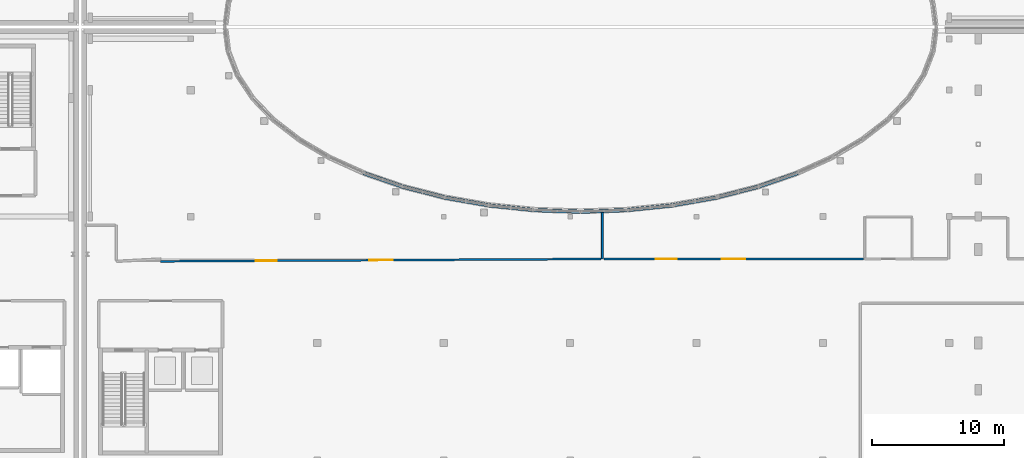
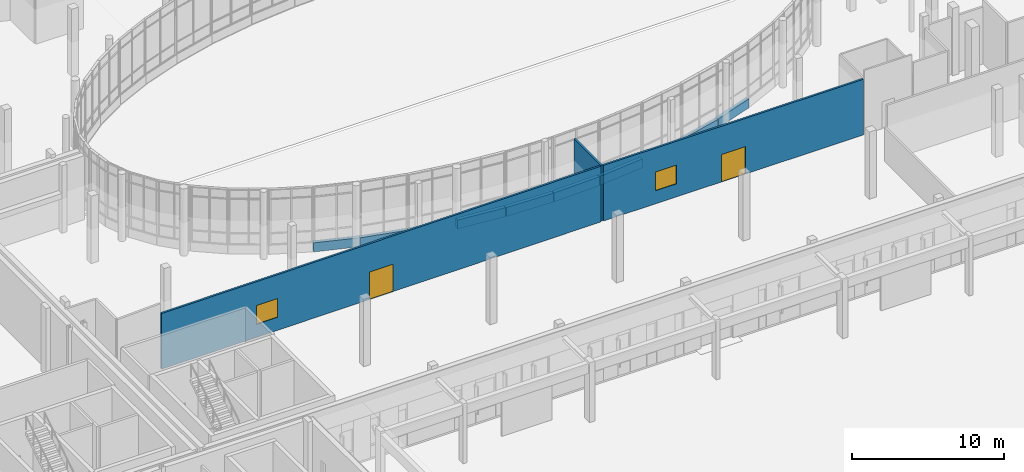
# One storey, part 43 of 84: 13 walls, 2 doors, 2 windows, 4 openings.
"""IFC4 building model written with IfcOpenShell, lengths in metres."""

from ifc_helpers import new_model, si_unit, direction, frame, frame_2d, origin, place, context, subcontext, project, spatial, rectangle, extrude, material, layer, layer_set, type_object, element, fill, save


model = new_model("IFC4")

# Units and contexts
model_context = context("Model", 3, precision=1e-05, world=origin(), true_north=direction((0.0, 1.0)))
body_context = subcontext(model_context, "Body", "Model", "MODEL_VIEW")
ifc_project = project(units=[si_unit("LENGTHUNIT", "METRE"), si_unit("AREAUNIT", "SQUARE_METRE"), si_unit("VOLUMEUNIT", "CUBIC_METRE"), si_unit("PLANEANGLEUNIT", "RADIAN"), si_unit("MASSUNIT", "GRAM", prefix="KILO")], contexts=[model_context])

# Site, building, storey
site_placement = place(None, origin())
site = spatial("IfcSite", under=ifc_project, at=site_placement, CompositionType="ELEMENT")
building_placement = place(site_placement, origin())
building = spatial("IfcBuilding", under=site, at=building_placement, Name="Mzevani Central Library", CompositionType="ELEMENT")
storey_placement = place(building_placement, origin())
storey = spatial("IfcBuildingStorey", under=building, at=storey_placement, Name="L00", CompositionType="ELEMENT", Elevation=0.0)

# Walls
ifc_material_1 = material(Name="Precast concrete C40/50", Category="concrete")
ifc_layer_1 = layer(ifc_material_1, 0.280029296875, Name="Court Spandrel Wall 280")
ifc_layer_set_1 = layer_set([ifc_layer_1], Name="Precast concrete C40/50")
wall_type_1 = type_object("IfcWallType", Name="Court Spandrel Wall 280", PredefinedType="STANDARD", material=ifc_layer_set_1)
wall_1_placement = place(storey_placement, frame((67.510986328125, 64.90771484375, 0.0), z_axis=(0.0, 0.0, 1.0), x_axis=(0.945492423857, -0.325644094723, 0.0)))
element("IfcWall", 1, at=wall_1_placement, inside=storey, type_object=wall_type_1, Name="L00 Elliptical Court Spandrel 32", PredefinedType="STANDARD", context=body_context, shape_type="SweptSolid", body=[
    extrude(rectangle(XDim=3.082763671875, YDim=0.280029296875, at=frame_2d((1.54150390625, 0.0))), origin(), (0.0, 0.0, 1.0), 0.719970703125),
])
wall_2_placement = place(storey_placement, frame((70.447998046875, 63.879150390625, 0.0), z_axis=(0.0, 0.0, 1.0), x_axis=(0.969187718636, -0.246323295783, 0.0)))
element("IfcWall", 2, at=wall_2_placement, inside=storey, type_object=wall_type_1, Name="L00 Elliptical Court Spandrel 33", PredefinedType="STANDARD", context=body_context, shape_type="SweptSolid", body=[
    extrude(rectangle(XDim=3.243896484375, YDim=0.280029296875, at=frame_2d((1.6220703125, 0.0))), origin(), (0.0, 0.0, 1.0), 0.719970703125),
])
wall_3_placement = place(storey_placement, frame((73.623046875, 63.055419921875, 0.0), z_axis=(0.0, 0.0, 1.0), x_axis=(0.985036309647, -0.172346942756, 0.0)))
element("IfcWall", 3, at=wall_3_placement, inside=storey, type_object=wall_type_1, Name="L00 Elliptical Court Spandrel 34", PredefinedType="STANDARD", context=body_context, shape_type="SweptSolid", body=[
    extrude(rectangle(XDim=3.3701171875, YDim=0.280029296875, at=frame_2d((1.68505859375, 0.0))), origin(), (0.0, 0.0, 1.0), 0.719970703125),
])
wall_4_placement = place(storey_placement, frame((76.984375, 62.453125, 0.0), z_axis=(0.0, 0.0, 1.0), x_axis=(0.994784379501, -0.102000187744, 0.0)))
element("IfcWall", 4, at=wall_4_placement, inside=storey, type_object=wall_type_1, Name="L00 Elliptical Court Spandrel 35", PredefinedType="STANDARD", context=body_context, shape_type="SweptSolid", body=[
    extrude(rectangle(XDim=3.456298828125, YDim=0.280029296875, at=frame_2d((1.72802734375, 0.0))), origin(), (0.0, 0.0, 1.0), 0.719970703125),
])
for number, where, z_axis, x_axis, name in (
    (5, (80.47412109375, 62.087646484375, 0.0), (0.0, 0.0, 1.0), (0.999429943241, -0.033760754643, 0.0), "L00 Elliptical Court Spandrel 36"),
    (6, (84.02783203125, 61.969482421875, 0.0), (0.0, 0.0, 1.0), (0.999429943241, 0.033760754643, 0.0), "L00 Elliptical Court Spandrel 37"),
):
    element("IfcWall", number, at=place(storey_placement, frame(where, z_axis=z_axis, x_axis=x_axis)), inside=storey, type_object=wall_type_1, Name=name, PredefinedType="STANDARD", context=body_context, shape_type="SweptSolid", body=[
        extrude(rectangle(XDim=3.5, YDim=0.280029296875, at=frame_2d((1.75, 0.0))), origin(), (0.0, 0.0, 1.0), 0.719970703125),
    ])
wall_5_placement = place(storey_placement, frame((87.577392578125, 62.1005859375, 0.0), z_axis=(0.0, 0.0, 1.0), x_axis=(0.994784379501, 0.102000187744, 0.0)))
element("IfcWall", 7, at=wall_5_placement, inside=storey, type_object=wall_type_1, Name="L00 Elliptical Court Spandrel 38", PredefinedType="STANDARD", context=body_context, shape_type="SweptSolid", body=[
    extrude(rectangle(XDim=3.456298828125, YDim=0.280029296875, at=frame_2d((1.72802734375, 0.0))), origin(), (0.0, 0.0, 1.0), 0.719970703125),
])
wall_6_placement = place(storey_placement, frame((91.057373046875, 62.474609375, 0.0), z_axis=(0.0, 0.0, 1.0), x_axis=(0.985036309647, 0.172346942756, 0.0)))
element("IfcWall", 8, at=wall_6_placement, inside=storey, type_object=wall_type_1, Name="L00 Elliptical Court Spandrel 39", PredefinedType="STANDARD", context=body_context, shape_type="SweptSolid", body=[
    extrude(rectangle(XDim=3.3701171875, YDim=0.280029296875, at=frame_2d((1.68505859375, 0.0))), origin(), (0.0, 0.0, 1.0), 0.719970703125),
])
wall_7_placement = place(storey_placement, frame((94.407958984375, 63.080078125, 0.0), z_axis=(0.0, 0.0, 1.0), x_axis=(0.969187718636, 0.246323295783, 0.0)))
element("IfcWall", 9, at=wall_7_placement, inside=storey, type_object=wall_type_1, Name="L00 Elliptical Court Spandrel 40", PredefinedType="STANDARD", context=body_context, shape_type="SweptSolid", body=[
    extrude(rectangle(XDim=3.243896484375, YDim=0.280029296875, at=frame_2d((1.6220703125, 0.0))), origin(), (0.0, 0.0, 1.0), 0.719970703125),
])
wall_8_placement = place(storey_placement, frame((97.57421875, 63.90380859375, 0.0), z_axis=(0.0, 0.0, 1.0), x_axis=(0.945492423857, 0.325644094723, 0.0)))
element("IfcWall", 10, at=wall_8_placement, inside=storey, type_object=wall_type_1, Name="L00 Elliptical Court Spandrel 41", PredefinedType="STANDARD", context=body_context, shape_type="SweptSolid", body=[
    extrude(rectangle(XDim=3.082763671875, YDim=0.280029296875, at=frame_2d((1.54150390625, 0.0))), origin(), (0.0, 0.0, 1.0), 0.719970703125),
])
ifc_material_2 = material(Name="Fire-rated gypsum board", Category="gypsum")
ifc_layer_2 = layer(ifc_material_2, 0.14990234375, Name="Partition Study 150")
ifc_layer_set_2 = layer_set([ifc_layer_2], Name="Fire-rated gypsum board")
wall_type_2 = type_object("IfcWallType", Name="Partition Study 150", PredefinedType="PARTITIONING", material=ifc_layer_set_2)
wall_9_placement = place(storey_placement, frame((85.65478515625, 61.923583984375, 0.0), z_axis=(0.0, 0.0, 1.0), x_axis=(0.00144677768, -0.999998953417, 0.0)))
element("IfcWall", 11, at=wall_9_placement, inside=storey, type_object=wall_type_2, Name="L00 V1 Partition IW-03 (78)", PredefinedType="PARTITIONING", context=body_context, shape_type="SweptSolid", body=[
    extrude(rectangle(XDim=3.543701171875, YDim=0.14990234375, at=frame_2d((1.77197265625, 0.0))), origin(), (0.0, 0.0, 1.0), 4.469970703125),
])

# Wall, openings, door, window
wall_10_placement = place(storey_placement, frame((85.56005859375, 58.37939453125, 0.0), z_axis=(0.0, 0.0, 1.0), x_axis=(-0.999985619812, -0.00536285082, 0.0)))
wall_10 = element("IfcWall", 12, at=wall_10_placement, inside=storey, type_object=wall_type_2, Name="L00 V1 Partition IW-03 (79)", PredefinedType="PARTITIONING", context=body_context, shape_type="SweptSolid", body=[
    extrude(rectangle(XDim=33.46044921875, YDim=0.14990234375, at=frame_2d((16.730224609375, 0.0))), origin(), (0.0, 0.0, 1.0), 4.469970703125),
])
opening_1_placement = place(wall_10_placement, frame((15.830078125, 0.0, 0.0)))
opening_1 = element("IfcOpeningElement", 13, at=opening_1_placement, cuts=wall_10, Name="Opening FD-06", PredefinedType="OPENING", context=body_context, shape_type="SweptSolid", body=[
    extrude(rectangle(XDim=1.800048828125, YDim=2.199951171875, at=frame_2d((0.89990234375, 1.10009765625))), frame((0.0, 0.0849609375, 0.0), z_axis=(0.0, -1.0, 0.0), x_axis=(1.0, 0.0, 0.0)), (0.0, 0.0, 1.0), 0.169921875),
])
opening_2_placement = place(wall_10_placement, frame((24.6298828125, 0.0, 1.050048828125)))
opening_2 = element("IfcOpeningElement", 14, at=opening_2_placement, cuts=wall_10, Name="Opening IW-W01", PredefinedType="OPENING", context=body_context, shape_type="SweptSolid", body=[
    extrude(rectangle(XDim=1.60009765625, YDim=1.5, at=frame_2d((0.800048828125, 0.75))), frame((0.0, 0.0849609375, 0.0), z_axis=(0.0, -1.0, 0.0), x_axis=(1.0, 0.0, 0.0)), (0.0, 0.0, 1.0), 0.169921875),
])
ifc_material_3 = material(Name="Fire-rated steel door assembly", Category="steel")
door_type = type_object("IfcDoorType", Name="Fire Corridor Double Door 1800x2200", OperationType="NOTDEFINED", PredefinedType="DOOR", material=ifc_material_3)
door_1_placement = place(opening_1_placement, origin())
door_1 = element("IfcDoor", 15, at=door_1_placement, inside=storey, type_object=door_type, Name="L00 Reference Collection and Periodicals Room Door", OperationType="DOUBLE_DOOR_SINGLE_SWING", OverallHeight=2.199951171875, OverallWidth=1.800048828125, PredefinedType="DOOR", context=body_context, shape_type="SweptSolid", body=[
    extrude(rectangle(XDim=1.800048828125, YDim=2.199951171875, at=frame_2d((0.89990234375, 1.10009765625))), frame((0.0, 0.02490234375, 0.0), z_axis=(0.0, -1.0, 0.0), x_axis=(1.0, 0.0, 0.0)), (0.0, 0.0, 1.0), 0.050048828125),
])
fill(opening_1, door_1)
ifc_material_4 = material(Name="Low-E triple glazing glass", Category="glass")
window_type = type_object("IfcWindowType", Name="Interior Borrowed Light 1600x1500", PartitioningType="SINGLE_PANEL", PredefinedType="WINDOW", material=ifc_material_4)
window_1_placement = place(opening_2_placement, origin())
window_1 = element("IfcWindow", 16, at=window_1_placement, inside=storey, type_object=window_type, Name="L00 Reference Collection and Periodicals Room Acoustic Borrowed Light", OverallHeight=1.5, OverallWidth=1.60009765625, PartitioningType="SINGLE_PANEL", PredefinedType="WINDOW", context=body_context, shape_type="SweptSolid", body=[
    extrude(rectangle(XDim=1.60009765625, YDim=1.5, at=frame_2d((0.800048828125, 0.75))), frame((0.0, 0.030029296875, 0.0), z_axis=(0.0, -1.0, 0.0), x_axis=(1.0, 0.0, 0.0)), (0.0, 0.0, 1.0), 0.06005859375),
])
fill(opening_2, window_1)

wall_11_placement = place(storey_placement, frame((105.47998046875, 58.3798828125, 0.0), z_axis=(0.0, 0.0, 1.0), x_axis=(-1.0, 0.0, 0.0)))
wall_11 = element("IfcWall", 17, at=wall_11_placement, inside=storey, type_object=wall_type_2, Name="L00 V1 Partition IW-03 (89)", PredefinedType="PARTITIONING", context=body_context, shape_type="SweptSolid", body=[
    extrude(rectangle(XDim=19.719970703125, YDim=0.14990234375, at=frame_2d((9.85986328125, 0.0))), origin(), (0.0, 0.0, 1.0), 4.469970703125),
])
opening_3_placement = place(wall_11_placement, frame((8.9599609375, 0.0, 0.0)))
opening_3 = element("IfcOpeningElement", 18, at=opening_3_placement, cuts=wall_11, Name="Opening FD-06", PredefinedType="OPENING", context=body_context, shape_type="SweptSolid", body=[
    extrude(rectangle(XDim=1.800048828125, YDim=2.199951171875, at=frame_2d((0.89990234375, 1.10009765625))), frame((0.0, 0.0849609375, 0.0), z_axis=(0.0, -1.0, 0.0), x_axis=(1.0, 0.0, 0.0)), (0.0, 0.0, 1.0), 0.169921875),
])
opening_4_placement = place(wall_11_placement, frame((14.187255859375, 0.0, 1.050048828125)))
opening_4 = element("IfcOpeningElement", 19, at=opening_4_placement, cuts=wall_11, Name="Opening IW-W01", PredefinedType="OPENING", context=body_context, shape_type="SweptSolid", body=[
    extrude(rectangle(XDim=1.60009765625, YDim=1.5, at=frame_2d((0.800048828125, 0.75))), frame((0.0, 0.0849609375, 0.0), z_axis=(0.0, -1.0, 0.0), x_axis=(1.0, 0.0, 0.0)), (0.0, 0.0, 1.0), 0.169921875),
])
door_2_placement = place(opening_3_placement, origin())
door_2 = element("IfcDoor", 20, at=door_2_placement, inside=storey, type_object=door_type, Name="L00 Current Newspapers Reading Salon Door", OperationType="DOUBLE_DOOR_SINGLE_SWING", OverallHeight=2.199951171875, OverallWidth=1.800048828125, PredefinedType="DOOR", context=body_context, shape_type="SweptSolid", body=[
    extrude(rectangle(XDim=1.800048828125, YDim=2.199951171875, at=frame_2d((0.89990234375, 1.10009765625))), frame((0.0, 0.02490234375, 0.0), z_axis=(0.0, -1.0, 0.0), x_axis=(1.0, 0.0, 0.0)), (0.0, 0.0, 1.0), 0.050048828125),
])
fill(opening_3, door_2)
window_2_placement = place(opening_4_placement, origin())
window_2 = element("IfcWindow", 21, at=window_2_placement, inside=storey, type_object=window_type, Name="L00 Current Newspapers Reading Salon Acoustic Borrowed Light", OverallHeight=1.5, OverallWidth=1.60009765625, PartitioningType="SINGLE_PANEL", PredefinedType="WINDOW", context=body_context, shape_type="SweptSolid", body=[
    extrude(rectangle(XDim=1.60009765625, YDim=1.5, at=frame_2d((0.800048828125, 0.75))), frame((0.0, 0.030029296875, 0.0), z_axis=(0.0, -1.0, 0.0), x_axis=(1.0, 0.0, 0.0)), (0.0, 0.0, 1.0), 0.06005859375),
])
fill(opening_4, window_2)

save(model, "model.ifc")
